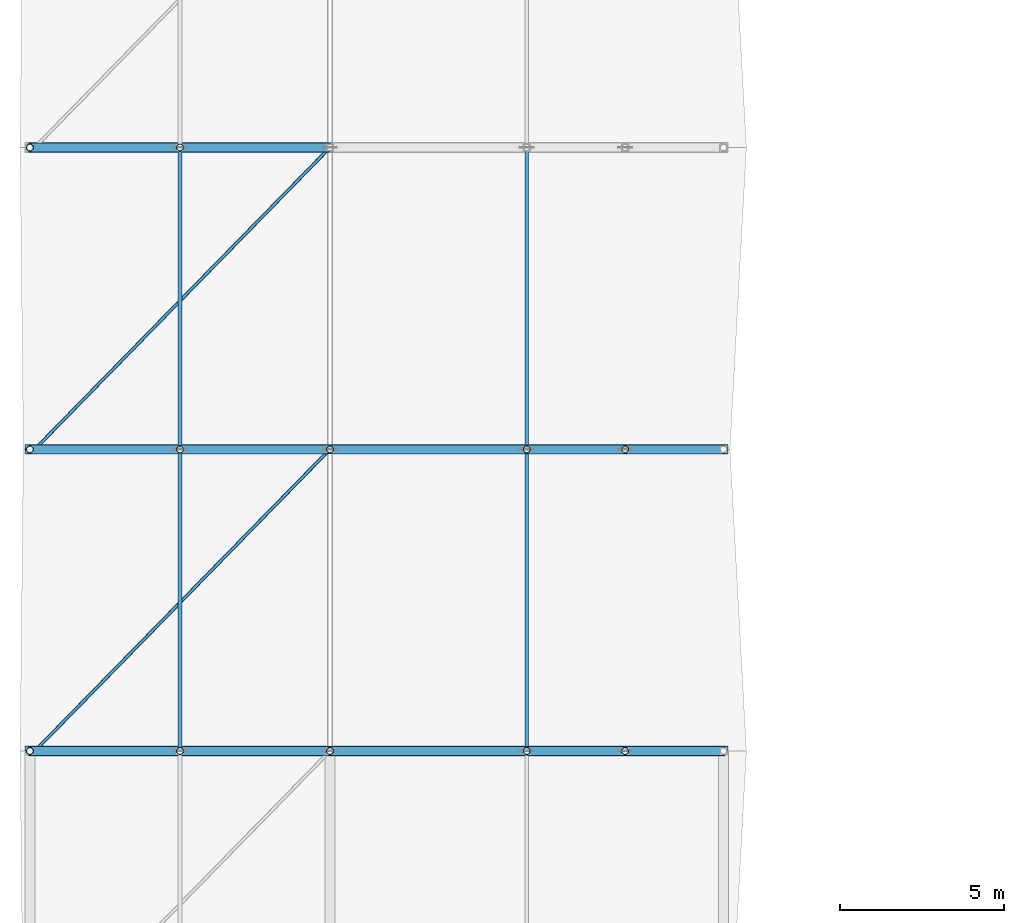
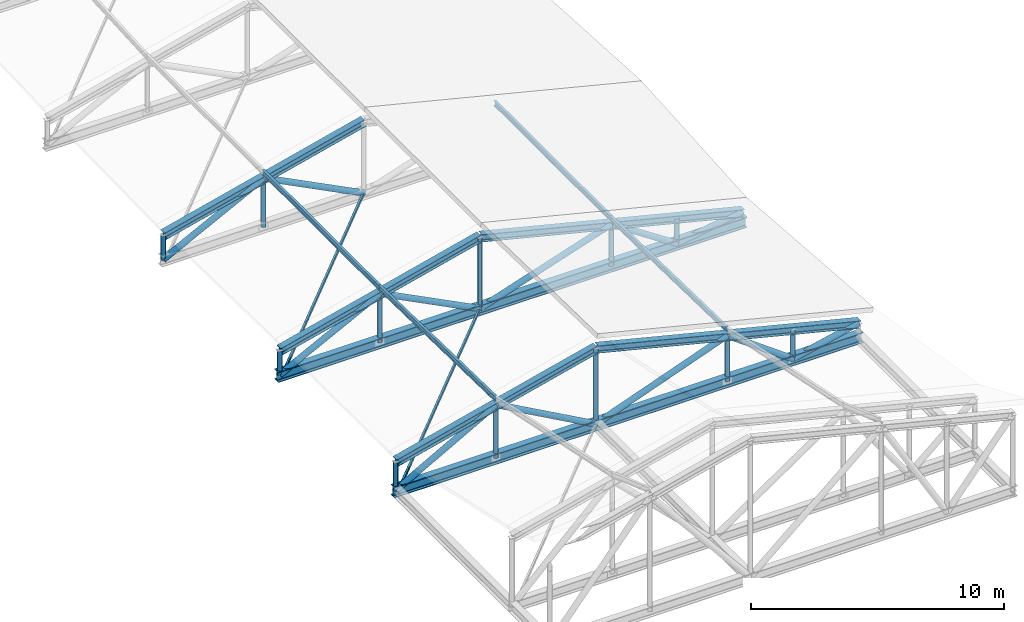
# One storey, part 20 of 61: 35 members, 2 beams.
"""IFC4 building model written with IfcOpenShell, lengths in metres."""

from ifc_helpers import new_model, si_unit, direction, frame, origin, origin_2d, place, context, subcontext, project, spatial, hollow_rectangle, hollow_circle, i_section, extrude, material, material_profile, profile_set, type_object, element, save


model = new_model("IFC4")

# Units and contexts
model_context = context("Model", 3, precision=1e-05, world=origin(), true_north=direction((0.0, 1.0)))
body_context = subcontext(model_context, "Body", "Model", "MODEL_VIEW")
ifc_project = project(units=[si_unit("LENGTHUNIT", "METRE"), si_unit("AREAUNIT", "SQUARE_METRE"), si_unit("VOLUMEUNIT", "CUBIC_METRE"), si_unit("PLANEANGLEUNIT", "RADIAN"), si_unit("MASSUNIT", "GRAM", prefix="KILO")], contexts=[model_context])

# Site, building, storey
site_placement = place(None, origin())
site = spatial("IfcSite", under=ifc_project, at=site_placement, CompositionType="ELEMENT")
building_placement = place(site_placement, origin())
building = spatial("IfcBuilding", under=site, at=building_placement, Name="Bozkorgan Art Gallery", CompositionType="ELEMENT")
storey_placement = place(building_placement, frame((0.0, 0.0, 10.199951171875)))
storey = spatial("IfcBuildingStorey", under=building, at=storey_placement, Name="L02", CompositionType="ELEMENT", Elevation=10.199951171875)

# Beams
ifc_material = material(Name="Steel S355J2", Category="steel")
ifc_material_profile_1 = material_profile(ifc_material, i_section(OverallWidth=0.300048828125, OverallDepth=0.5, WebThickness=0.014404296875, FlangeThickness=0.028076171875, FilletRadius=0.027099609375, at=origin_2d()), Name="HEB 500")
ifc_profile_set_1 = profile_set([ifc_material_profile_1], Name="Steel S355J2")
beam_type = type_object("IfcBeamType", Name="BEAM-TO-52", PredefinedType="BEAM", material=ifc_profile_set_1)
for number, where, z_axis, x_axis, name in (
    (1, (1.7099609375, 66.0, 0.25), (1.0, 0.0, 0.0), (0.0, 1.0, 0.0), "ROOF-V2-MAIN roof truss 3 bottom chord"),
    (2, (1.7099609375, 75.199951171875, 0.25), (1.0, 0.0, 0.0), (0.0, 1.0, 0.0), "ROOF-V2-MAIN roof truss 4 bottom chord"),
):
    element("IfcBeam", number, at=place(storey_placement, frame(where, z_axis=z_axis, x_axis=x_axis)), inside=storey, type_object=beam_type, Name=name, PredefinedType="BEAM", context=body_context, shape_type="SweptSolid", body=[
        extrude(i_section(OverallWidth=0.300048828125, OverallDepth=0.5, WebThickness=0.014404296875, FlangeThickness=0.028076171875, FilletRadius=0.027099609375, at=origin_2d()), origin(), (0.0, 0.0, 1.0), 21.429931640625),
    ])

# Members
ifc_material_profile_2 = material_profile(ifc_material, i_section(OverallWidth=0.1201171875, OverallDepth=0.239990234375, WebThickness=0.006103515625, FlangeThickness=0.009765625, FilletRadius=0.014892578125, at=origin_2d()), Name="IPE 240")
ifc_profile_set_2 = profile_set([ifc_material_profile_2], Name="Steel S355J2")
member_type_1 = type_object("IfcMemberType", Name="MEMBER-PR-34", PredefinedType="PURLIN", material=ifc_profile_set_2)
for number, where, z_axis, x_axis, name in (
    (3, (6.425048828125, 66.0, 3.07861328125), (0.0, 0.999749273292, -0.022391751895), (-1.0, 0.0, 0.0), "ROOF-V2-MAIN roof purlin 3W"),
    (4, (17.0, 66.0, 2.723388671875), (0.0, 0.999748679025, -0.022418269081), (-1.0, 0.0, 0.0), "ROOF-V2-MAIN roof purlin 3E"),
):
    element("IfcMember", number, at=place(storey_placement, frame(where, z_axis=z_axis, x_axis=x_axis)), inside=storey, type_object=member_type_1, Name=name, PredefinedType="PURLIN", context=body_context, shape_type="SweptSolid", body=[
        extrude(i_section(OverallWidth=0.1201171875, OverallDepth=0.239990234375, WebThickness=0.006103515625, FlangeThickness=0.009765625, FilletRadius=0.014892578125, at=origin_2d()), origin(), (0.0, 0.0, 1.0), 9.2021484375),
    ])
for number, where, z_axis, x_axis, name in (
    (5, (6.425048828125, 75.199951171875, 2.87255859375), (0.0, 1.0, 0.0), (-1.0, 0.0, 0.0), "ROOF-V2-MAIN roof purlin 4W"),
    (6, (17.0, 75.199951171875, 2.51708984375), (0.0, 1.0, 0.0), (-1.0, 0.0, 0.0), "ROOF-V2-MAIN roof purlin 4E"),
):
    element("IfcMember", number, at=place(storey_placement, frame(where, z_axis=z_axis, x_axis=x_axis)), inside=storey, type_object=member_type_1, Name=name, PredefinedType="PURLIN", context=body_context, shape_type="SweptSolid", body=[
        extrude(i_section(OverallWidth=0.1201171875, OverallDepth=0.239990234375, WebThickness=0.006103515625, FlangeThickness=0.009765625, FilletRadius=0.014892578125, at=origin_2d()), origin(), (0.0, 0.0, 1.0), 9.199951171875),
    ])
ifc_material_profile_3 = material_profile(ifc_material, i_section(OverallWidth=0.300048828125, OverallDepth=0.35009765625, WebThickness=0.010009765625, FlangeThickness=0.017578125, FilletRadius=0.027099609375, at=origin_2d()), Name="HEA 360")
ifc_profile_set_3 = profile_set([ifc_material_profile_3], Name="Steel S355J2")
member_type_2 = type_object("IfcMemberType", Name="MEMBER-TC-31", PredefinedType="CHORD", material=ifc_profile_set_3)
member_1_placement = place(storey_placement, frame((1.85009765625, 66.0, 1.64306640625), z_axis=(0.970297639918, 0.0, 0.241914220273), x_axis=(0.0, 1.0, 0.0)))
element("IfcMember", 7, at=member_1_placement, inside=storey, type_object=member_type_2, Name="ROOF-V2-MAIN roof truss 3 west top chord", PredefinedType="CHORD", context=body_context, shape_type="SweptSolid", body=[
    extrude(i_section(OverallWidth=0.300048828125, OverallDepth=0.35009765625, WebThickness=0.010009765625, FlangeThickness=0.017578125, FilletRadius=0.027099609375, at=origin_2d()), origin(), (0.0, 0.0, 1.0), 9.429931640625),
])
member_2_placement = place(storey_placement, frame((11.0, 66.0, 3.92431640625), z_axis=(0.970295587241, 0.0, -0.24192245324), x_axis=(0.0, 1.0, 0.0)))
element("IfcMember", 8, at=member_2_placement, inside=storey, type_object=member_type_2, Name="ROOF-V2-MAIN roof truss 3 east top chord", PredefinedType="CHORD", context=body_context, shape_type="SweptSolid", body=[
    extrude(i_section(OverallWidth=0.300048828125, OverallDepth=0.35009765625, WebThickness=0.010009765625, FlangeThickness=0.017578125, FilletRadius=0.027099609375, at=origin_2d()), origin(), (0.0, 0.0, 1.0), 12.367431640625),
])
member_3_placement = place(storey_placement, frame((1.85009765625, 75.199951171875, 1.436767578125), z_axis=(0.97029156257, 0.0, 0.241938594701), x_axis=(0.0, 1.0, 0.0)))
element("IfcMember", 9, at=member_3_placement, inside=storey, type_object=member_type_2, Name="ROOF-V2-MAIN roof truss 4 west top chord", PredefinedType="CHORD", context=body_context, shape_type="SweptSolid", body=[
    extrude(i_section(OverallWidth=0.300048828125, OverallDepth=0.35009765625, WebThickness=0.010009765625, FlangeThickness=0.017578125, FilletRadius=0.027099609375, at=origin_2d()), origin(), (0.0, 0.0, 1.0), 9.43017578125),
])
member_4_placement = place(storey_placement, frame((11.0, 75.199951171875, 3.71826171875), z_axis=(0.970295587241, 0.0, -0.24192245324), x_axis=(0.0, 1.0, 0.0)))
element("IfcMember", 10, at=member_4_placement, inside=storey, type_object=member_type_2, Name="ROOF-V2-MAIN roof truss 4 east top chord", PredefinedType="CHORD", context=body_context, shape_type="SweptSolid", body=[
    extrude(i_section(OverallWidth=0.300048828125, OverallDepth=0.35009765625, WebThickness=0.010009765625, FlangeThickness=0.017578125, FilletRadius=0.027099609375, at=origin_2d()), origin(), (0.0, 0.0, 1.0), 12.367431640625),
])
member_5_placement = place(storey_placement, frame((1.85009765625, 84.39990234375, 1.436767578125), z_axis=(0.97029156257, 0.0, 0.241938594701), x_axis=(0.0, 1.0, 0.0)))
element("IfcMember", 11, at=member_5_placement, inside=storey, type_object=member_type_2, Name="ROOF-V2-MAIN roof truss 5 west top chord", PredefinedType="CHORD", context=body_context, shape_type="SweptSolid", body=[
    extrude(i_section(OverallWidth=0.300048828125, OverallDepth=0.35009765625, WebThickness=0.010009765625, FlangeThickness=0.017578125, FilletRadius=0.027099609375, at=origin_2d()), origin(), (0.0, 0.0, 1.0), 9.43017578125),
])
ifc_material_profile_4 = material_profile(ifc_material, hollow_circle(Radius=0.109619140625, WallThickness=0.010009765625, at=origin_2d()), Name="CHS 219.1x10")
ifc_profile_set_4 = profile_set([ifc_material_profile_4], Name="Steel S355J2")
member_type_3 = type_object("IfcMemberType", Name="MEMBER-TP-78", PredefinedType="POST", material=ifc_profile_set_4)
member_6_placement = place(storey_placement, frame((1.85009765625, 66.0, 0.25), z_axis=(0.0, 0.0, 1.0), x_axis=(1.0, 0.0, 0.0)))
element("IfcMember", 12, at=member_6_placement, inside=storey, type_object=member_type_3, Name="ROOF-V2-MAIN roof truss 3 post 0", PredefinedType="POST", context=body_context, shape_type="SweptSolid", body=[
    extrude(hollow_circle(Radius=0.109619140625, WallThickness=0.010009765625, at=origin_2d()), origin(), (0.0, 0.0, 1.0), 1.39306640625),
])
member_7_placement = place(storey_placement, frame((6.425048828125, 66.0, 0.25), z_axis=(0.0, 0.0, 1.0), x_axis=(1.0, 0.0, 0.0)))
element("IfcMember", 13, at=member_7_placement, inside=storey, type_object=member_type_3, Name="ROOF-V2-MAIN roof truss 3 post 1", PredefinedType="POST", context=body_context, shape_type="SweptSolid", body=[
    extrude(hollow_circle(Radius=0.109619140625, WallThickness=0.010009765625, at=origin_2d()), origin(), (0.0, 0.0, 1.0), 2.53369140625),
])
member_8_placement = place(storey_placement, frame((11.0, 66.0, 0.25), z_axis=(0.0, 0.0, 1.0), x_axis=(1.0, 0.0, 0.0)))
element("IfcMember", 14, at=member_8_placement, inside=storey, type_object=member_type_3, Name="ROOF-V2-MAIN roof truss 3 post 2", PredefinedType="POST", context=body_context, shape_type="SweptSolid", body=[
    extrude(hollow_circle(Radius=0.109619140625, WallThickness=0.010009765625, at=origin_2d()), origin(), (0.0, 0.0, 1.0), 3.67431640625),
])
member_9_placement = place(storey_placement, frame((17.0, 66.0, 0.25), z_axis=(0.0, 0.0, 1.0), x_axis=(1.0, 0.0, 0.0)))
element("IfcMember", 15, at=member_9_placement, inside=storey, type_object=member_type_3, Name="ROOF-V2-MAIN roof truss 3 post 3", PredefinedType="POST", context=body_context, shape_type="SweptSolid", body=[
    extrude(hollow_circle(Radius=0.109619140625, WallThickness=0.010009765625, at=origin_2d()), origin(), (0.0, 0.0, 1.0), 2.178466796875),
])
member_10_placement = place(storey_placement, frame((20.0, 66.0, 0.25), z_axis=(0.0, 0.0, 1.0), x_axis=(1.0, 0.0, 0.0)))
element("IfcMember", 16, at=member_10_placement, inside=storey, type_object=member_type_3, Name="ROOF-V2-MAIN roof truss 3 post 4", PredefinedType="POST", context=body_context, shape_type="SweptSolid", body=[
    extrude(hollow_circle(Radius=0.109619140625, WallThickness=0.010009765625, at=origin_2d()), origin(), (0.0, 0.0, 1.0), 1.430419921875),
])
member_11_placement = place(storey_placement, frame((1.85009765625, 75.199951171875, 0.25), z_axis=(0.0, 0.0, 1.0), x_axis=(1.0, 0.0, 0.0)))
element("IfcMember", 17, at=member_11_placement, inside=storey, type_object=member_type_3, Name="ROOF-V2-MAIN roof truss 4 post 0", PredefinedType="POST", context=body_context, shape_type="SweptSolid", body=[
    extrude(hollow_circle(Radius=0.109619140625, WallThickness=0.010009765625, at=origin_2d()), origin(), (0.0, 0.0, 1.0), 1.186767578125),
])
member_12_placement = place(storey_placement, frame((6.425048828125, 75.199951171875, 0.25), z_axis=(0.0, 0.0, 1.0), x_axis=(1.0, 0.0, 0.0)))
element("IfcMember", 18, at=member_12_placement, inside=storey, type_object=member_type_3, Name="ROOF-V2-MAIN roof truss 4 post 1", PredefinedType="POST", context=body_context, shape_type="SweptSolid", body=[
    extrude(hollow_circle(Radius=0.109619140625, WallThickness=0.010009765625, at=origin_2d()), origin(), (0.0, 0.0, 1.0), 2.327392578125),
])
member_13_placement = place(storey_placement, frame((11.0, 75.199951171875, 0.25), z_axis=(0.0, 0.0, 1.0), x_axis=(1.0, 0.0, 0.0)))
element("IfcMember", 19, at=member_13_placement, inside=storey, type_object=member_type_3, Name="ROOF-V2-MAIN roof truss 4 post 2", PredefinedType="POST", context=body_context, shape_type="SweptSolid", body=[
    extrude(hollow_circle(Radius=0.109619140625, WallThickness=0.010009765625, at=origin_2d()), origin(), (0.0, 0.0, 1.0), 3.46826171875),
])
member_14_placement = place(storey_placement, frame((17.0, 75.199951171875, 0.25), z_axis=(0.0, 0.0, 1.0), x_axis=(1.0, 0.0, 0.0)))
element("IfcMember", 20, at=member_14_placement, inside=storey, type_object=member_type_3, Name="ROOF-V2-MAIN roof truss 4 post 3", PredefinedType="POST", context=body_context, shape_type="SweptSolid", body=[
    extrude(hollow_circle(Radius=0.109619140625, WallThickness=0.010009765625, at=origin_2d()), origin(), (0.0, 0.0, 1.0), 1.97216796875),
])
member_15_placement = place(storey_placement, frame((20.0, 75.199951171875, 0.25), z_axis=(0.0, 0.0, 1.0), x_axis=(1.0, 0.0, 0.0)))
element("IfcMember", 21, at=member_15_placement, inside=storey, type_object=member_type_3, Name="ROOF-V2-MAIN roof truss 4 post 4", PredefinedType="POST", context=body_context, shape_type="SweptSolid", body=[
    extrude(hollow_circle(Radius=0.109619140625, WallThickness=0.010009765625, at=origin_2d()), origin(), (0.0, 0.0, 1.0), 1.22412109375),
])
member_16_placement = place(storey_placement, frame((1.85009765625, 84.39990234375, 0.25), z_axis=(0.0, 0.0, 1.0), x_axis=(1.0, 0.0, 0.0)))
element("IfcMember", 22, at=member_16_placement, inside=storey, type_object=member_type_3, Name="ROOF-V2-MAIN roof truss 5 post 0", PredefinedType="POST", context=body_context, shape_type="SweptSolid", body=[
    extrude(hollow_circle(Radius=0.109619140625, WallThickness=0.010009765625, at=origin_2d()), origin(), (0.0, 0.0, 1.0), 1.186767578125),
])
member_17_placement = place(storey_placement, frame((6.425048828125, 84.39990234375, 0.25), z_axis=(0.0, 0.0, 1.0), x_axis=(1.0, 0.0, 0.0)))
element("IfcMember", 23, at=member_17_placement, inside=storey, type_object=member_type_3, Name="ROOF-V2-MAIN roof truss 5 post 1", PredefinedType="POST", context=body_context, shape_type="SweptSolid", body=[
    extrude(hollow_circle(Radius=0.109619140625, WallThickness=0.010009765625, at=origin_2d()), origin(), (0.0, 0.0, 1.0), 2.327392578125),
])
ifc_material_profile_5 = material_profile(ifc_material, hollow_circle(Radius=0.136474609375, WallThickness=0.012451171875, at=origin_2d()), Name="CHS 273x12.5")
ifc_profile_set_5 = profile_set([ifc_material_profile_5], Name="Steel S355J2")
member_type_4 = type_object("IfcMemberType", Name="MEMBER-TW-28", PredefinedType="BRACE", material=ifc_profile_set_5)
for number, where, z_axis, x_axis, name in (
    (24, (1.85009765625, 66.0, 0.25), (0.874801705565, 0.0, 0.484481140955), (0.0, 1.0, 0.0), "ROOF-V2-MAIN roof truss 3 diagonal 1"),
    (25, (6.425048828125, 66.0, 2.78369140625), (0.874801705565, 0.0, -0.484481140955), (0.0, 1.0, 0.0), "ROOF-V2-MAIN roof truss 3 diagonal 2"),
):
    element("IfcMember", number, at=place(storey_placement, frame(where, z_axis=z_axis, x_axis=x_axis)), inside=storey, type_object=member_type_4, Name=name, PredefinedType="BRACE", context=body_context, shape_type="SweptSolid", body=[
        extrude(hollow_circle(Radius=0.136474609375, WallThickness=0.012451171875, at=origin_2d()), origin(), (0.0, 0.0, 1.0), 5.229736328125),
    ])
member_18_placement = place(storey_placement, frame((11.0, 66.0, 0.25), z_axis=(0.939961931553, 0.0, 0.341279309702), x_axis=(0.0, 1.0, 0.0)))
element("IfcMember", 26, at=member_18_placement, inside=storey, type_object=member_type_4, Name="ROOF-V2-MAIN roof truss 3 diagonal 3", PredefinedType="BRACE", context=body_context, shape_type="SweptSolid", body=[
    extrude(hollow_circle(Radius=0.136474609375, WallThickness=0.012451171875, at=origin_2d()), origin(), (0.0, 0.0, 1.0), 6.38330078125),
])
member_19_placement = place(storey_placement, frame((17.0, 66.0, 2.428466796875), z_axis=(0.809165851456, 0.0, -0.587580313521), x_axis=(0.0, 1.0, 0.0)))
element("IfcMember", 27, at=member_19_placement, inside=storey, type_object=member_type_4, Name="ROOF-V2-MAIN roof truss 3 diagonal 4", PredefinedType="BRACE", context=body_context, shape_type="SweptSolid", body=[
    extrude(hollow_circle(Radius=0.136474609375, WallThickness=0.012451171875, at=origin_2d()), origin(), (0.0, 0.0, 1.0), 3.70751953125),
])
member_20_placement = place(storey_placement, frame((20.0, 66.0, 0.25), z_axis=(0.975093865593, 0.0, 0.221792590685), x_axis=(0.0, 1.0, 0.0)))
element("IfcMember", 28, at=member_20_placement, inside=storey, type_object=member_type_4, Name="ROOF-V2-MAIN roof truss 3 diagonal 5", PredefinedType="BRACE", context=body_context, shape_type="SweptSolid", body=[
    extrude(hollow_circle(Radius=0.136474609375, WallThickness=0.012451171875, at=origin_2d()), origin(), (0.0, 0.0, 1.0), 3.07666015625),
])
for number, where, z_axis, x_axis, name in (
    (29, (1.85009765625, 75.199951171875, 0.25), (0.891294892557, 0.0, 0.453424100045), (0.0, 1.0, 0.0), "ROOF-V2-MAIN roof truss 4 diagonal 1"),
    (30, (6.425048828125, 75.199951171875, 2.577392578125), (0.891294892557, 0.0, -0.453424100045), (0.0, 1.0, 0.0), "ROOF-V2-MAIN roof truss 4 diagonal 2"),
):
    element("IfcMember", number, at=place(storey_placement, frame(where, z_axis=z_axis, x_axis=x_axis)), inside=storey, type_object=member_type_4, Name=name, PredefinedType="BRACE", context=body_context, shape_type="SweptSolid", body=[
        extrude(hollow_circle(Radius=0.136474609375, WallThickness=0.012451171875, at=origin_2d()), origin(), (0.0, 0.0, 1.0), 5.1328125),
    ])
member_21_placement = place(storey_placement, frame((11.0, 75.199951171875, 0.25), z_axis=(0.949997025148, 0.0, 0.312258950568), x_axis=(0.0, 1.0, 0.0)))
element("IfcMember", 31, at=member_21_placement, inside=storey, type_object=member_type_4, Name="ROOF-V2-MAIN roof truss 4 diagonal 3", PredefinedType="BRACE", context=body_context, shape_type="SweptSolid", body=[
    extrude(hollow_circle(Radius=0.136474609375, WallThickness=0.012451171875, at=origin_2d()), origin(), (0.0, 0.0, 1.0), 6.31591796875),
])
member_22_placement = place(storey_placement, frame((17.0, 75.199951171875, 2.22216796875), z_axis=(0.835610946601, 0.0, -0.549321714408), x_axis=(0.0, 1.0, 0.0)))
element("IfcMember", 32, at=member_22_placement, inside=storey, type_object=member_type_4, Name="ROOF-V2-MAIN roof truss 4 diagonal 4", PredefinedType="BRACE", context=body_context, shape_type="SweptSolid", body=[
    extrude(hollow_circle(Radius=0.136474609375, WallThickness=0.012451171875, at=origin_2d()), origin(), (0.0, 0.0, 1.0), 3.590087890625),
])
member_23_placement = place(storey_placement, frame((20.0, 75.199951171875, 0.25), z_axis=(0.987629009243, 0.0, 0.156808609785), x_axis=(0.0, 1.0, 0.0)))
element("IfcMember", 33, at=member_23_placement, inside=storey, type_object=member_type_4, Name="ROOF-V2-MAIN roof truss 4 diagonal 5", PredefinedType="BRACE", context=body_context, shape_type="SweptSolid", body=[
    extrude(hollow_circle(Radius=0.136474609375, WallThickness=0.012451171875, at=origin_2d()), origin(), (0.0, 0.0, 1.0), 3.03759765625),
])
for number, where, z_axis, x_axis, name in (
    (34, (1.85009765625, 84.39990234375, 0.25), (0.891294892557, 0.0, 0.453424100045), (0.0, 1.0, 0.0), "ROOF-V2-MAIN roof truss 5 diagonal 1"),
    (35, (6.425048828125, 84.39990234375, 2.577392578125), (0.891294892557, 0.0, -0.453424100045), (0.0, 1.0, 0.0), "ROOF-V2-MAIN roof truss 5 diagonal 2"),
):
    element("IfcMember", number, at=place(storey_placement, frame(where, z_axis=z_axis, x_axis=x_axis)), inside=storey, type_object=member_type_4, Name=name, PredefinedType="BRACE", context=body_context, shape_type="SweptSolid", body=[
        extrude(hollow_circle(Radius=0.136474609375, WallThickness=0.012451171875, at=origin_2d()), origin(), (0.0, 0.0, 1.0), 5.1328125),
    ])
ifc_material_profile_6 = material_profile(ifc_material, hollow_rectangle(XDim=0.10009765625, YDim=0.14990234375, WallThickness=0.008056640625, InnerFilletRadius=0.011962890625, OuterFilletRadius=0.02001953125, at=origin_2d()), Name="RHS 150x100x8")
ifc_profile_set_6 = profile_set([ifc_material_profile_6], Name="Steel S355J2")
member_type_5 = type_object("IfcMemberType", Name="MEMBER-WB-10", PredefinedType="BRACE", material=ifc_profile_set_6)
for number, where, z_axis, x_axis, name in (
    (36, (2.0, 66.0, 0.25), (0.699296051965, 0.714832170307, 0.0), (-0.714832170307, 0.699296051965, 0.0), "ROOF-V2-MAIN roof diaphragm wind brace 2"),
    (37, (2.0, 75.199951171875, 0.25), (0.699296051965, 0.714832170307, 0.0), (-0.714832170307, 0.699296051965, 0.0), "ROOF-V2-MAIN roof diaphragm wind brace 3"),
):
    element("IfcMember", number, at=place(storey_placement, frame(where, z_axis=z_axis, x_axis=x_axis)), inside=storey, type_object=member_type_5, Name=name, PredefinedType="BRACE", context=body_context, shape_type="SweptSolid", body=[
        extrude(hollow_rectangle(XDim=0.10009765625, YDim=0.14990234375, WallThickness=0.008056640625, InnerFilletRadius=0.011962890625, OuterFilletRadius=0.02001953125, at=origin_2d()), origin(), (0.0, 0.0, 1.0), 12.8701171875),
    ])

save(model, "model.ifc")
